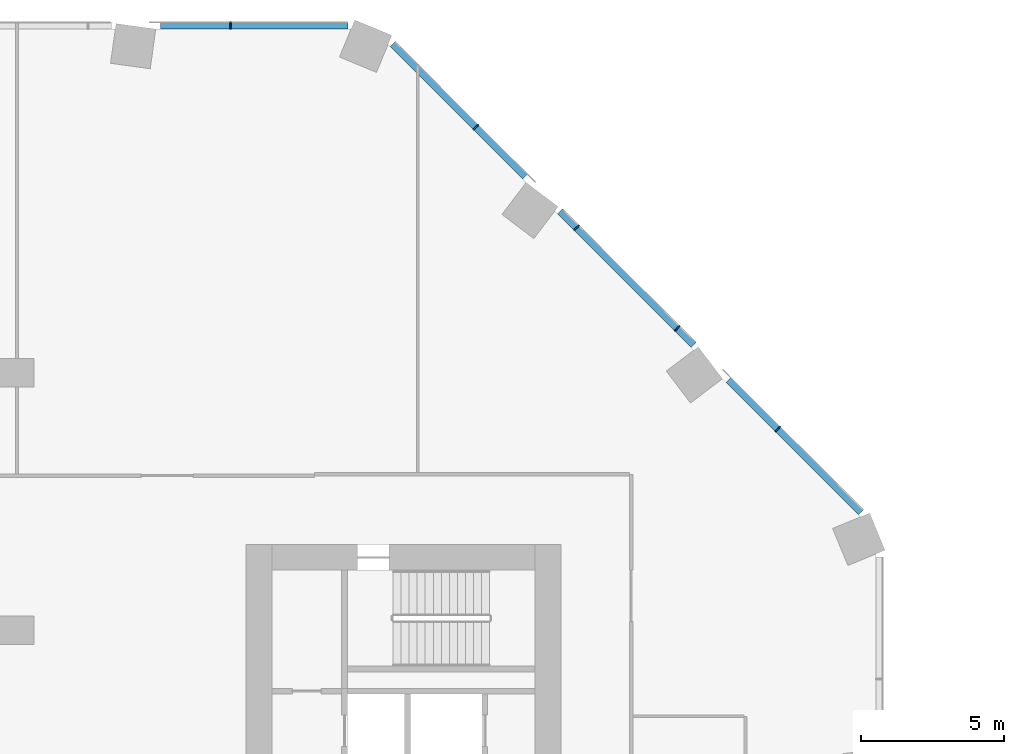
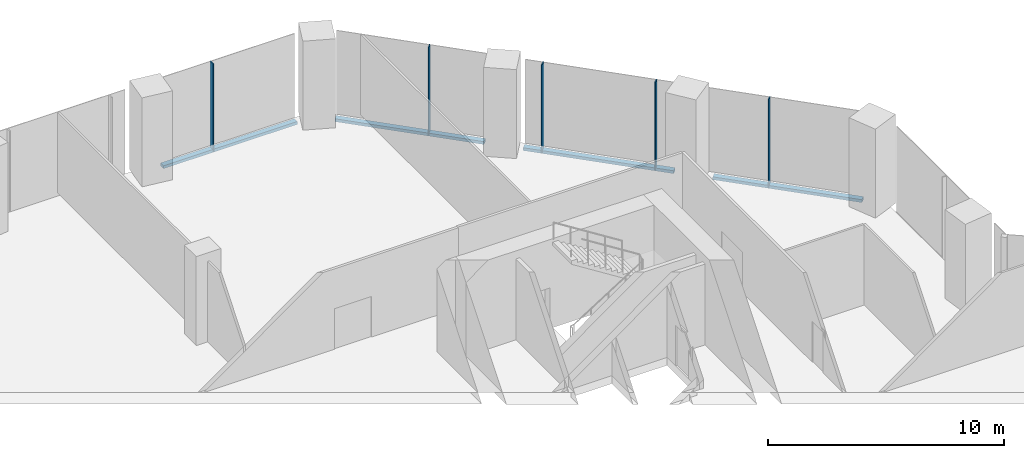
# One storey, part 12 of 30: 9 members, 2 elements without a shape of their own.
"""IFC4 building model written with IfcOpenShell, lengths in metres."""

from ifc_helpers import new_model, si_unit, direction, frame, origin, origin_2d, place, context, subcontext, project, spatial, rectangle, extrude, material, material_profile, profile_set, type_object, element, aggregate, save


model = new_model("IFC4")

# Units and contexts
model_context = context("Model", 3, precision=1e-05, world=origin(), true_north=direction((0.0, 1.0)))
body_context = subcontext(model_context, "Body", "Model", "MODEL_VIEW")
ifc_project = project(units=[si_unit("LENGTHUNIT", "METRE"), si_unit("AREAUNIT", "SQUARE_METRE"), si_unit("VOLUMEUNIT", "CUBIC_METRE"), si_unit("PLANEANGLEUNIT", "RADIAN"), si_unit("MASSUNIT", "GRAM", prefix="KILO")], contexts=[model_context])

# Site, building, storey
site_placement = place(None, origin())
site = spatial("IfcSite", under=ifc_project, at=site_placement, CompositionType="ELEMENT")
building_placement = place(site_placement, origin())
building = spatial("IfcBuilding", under=site, at=building_placement, Name="Orlundy Tower", CompositionType="ELEMENT")
storey_placement = place(building_placement, frame((0.0, 0.0, 20.5)))
storey = spatial("IfcBuildingStorey", under=building, at=storey_placement, Name="L03", CompositionType="ELEMENT", Elevation=20.5)

# Curtain wall, member
ifc_material_1 = material(Name="Aluminium bronze anodised", Category="aluminium")
curtain_wall_type = type_object("IfcCurtainWallType", Name="CW2 wall", PredefinedType="NOTDEFINED", material=ifc_material_1)
curtain_wall_1_placement = place(storey_placement, origin())
curtain_wall_1 = element("IfcCurtainWall", 1, at=curtain_wall_1_placement, inside=storey, type_object=curtain_wall_type, Name="CW2 run 015", PredefinedType="NOTDEFINED")
ifc_material_2 = material(Name="Aluminium bronze anodised", Category="aluminium")
ifc_material_profile_1 = material_profile(ifc_material_2, rectangle(XDim=0.25, YDim=0.050048828125, at=origin_2d()), Name="CW2 mullion 50x250")
ifc_profile_set_1 = profile_set([ifc_material_profile_1], Name="Aluminium bronze anodised")
member_type_1 = type_object("IfcMemberType", Name="CW2 mullion 50x250", PredefinedType="MULLION", material=ifc_profile_set_1)
member_1_placement = place(storey_placement, frame((7.45556640625, 30.125, -0.39990234375), z_axis=(0.0, 0.0, 1.0), x_axis=(0.0, 1.0, 0.0)))
member_1 = element("IfcMember", 2, at=member_1_placement, type_object=member_type_1, Name="CW2 mullion 43", PredefinedType="MULLION", context=body_context, shape_type="SweptSolid", body=[
    extrude(rectangle(XDim=0.25, YDim=0.050048828125, at=origin_2d()), origin(), (0.0, 0.0, 1.0), 4.579833984375),
])

# Curtain wall, members
curtain_wall_2_placement = place(storey_placement, origin())
curtain_wall_2 = element("IfcCurtainWall", 3, at=curtain_wall_2_placement, inside=storey, type_object=curtain_wall_type, Name="CW2 run 016", PredefinedType="NOTDEFINED")
member_2_placement = place(storey_placement, frame((16.029296875, 26.573486328125, -0.39990234375), z_axis=(0.0, 0.0, 1.0), x_axis=(0.707106781187, 0.707106781187, 0.0)))
member_2 = element("IfcMember", 4, at=member_2_placement, type_object=member_type_1, Name="CW2 mullion 45", PredefinedType="MULLION", context=body_context, shape_type="SweptSolid", body=[
    extrude(rectangle(XDim=0.25, YDim=0.050048828125, at=origin_2d()), origin(), (0.0, 0.0, 1.0), 4.579833984375),
])
member_3_placement = place(storey_placement, frame((19.5439453125, 23.058837890625, -0.39990234375), z_axis=(0.0, 0.0, 1.0), x_axis=(0.707106781187, 0.707106781187, 0.0)))
member_3 = element("IfcMember", 5, at=member_3_placement, type_object=member_type_1, Name="CW2 mullion 46", PredefinedType="MULLION", context=body_context, shape_type="SweptSolid", body=[
    extrude(rectangle(XDim=0.25, YDim=0.050048828125, at=origin_2d()), origin(), (0.0, 0.0, 1.0), 4.579833984375),
])
member_4_placement = place(storey_placement, frame((23.058837890625, 19.5439453125, -0.39990234375), z_axis=(0.0, 0.0, 1.0), x_axis=(0.707106781187, 0.707106781187, 0.0)))
member_4 = element("IfcMember", 6, at=member_4_placement, type_object=member_type_1, Name="CW2 mullion 47", PredefinedType="MULLION", context=body_context, shape_type="SweptSolid", body=[
    extrude(rectangle(XDim=0.25, YDim=0.050048828125, at=origin_2d()), origin(), (0.0, 0.0, 1.0), 4.579833984375),
])
member_5_placement = place(storey_placement, frame((26.573486328125, 16.029296875, -0.39990234375), z_axis=(0.0, 0.0, 1.0), x_axis=(0.707106781187, 0.707106781187, 0.0)))
member_5 = element("IfcMember", 7, at=member_5_placement, type_object=member_type_1, Name="CW2 mullion 48", PredefinedType="MULLION", context=body_context, shape_type="SweptSolid", body=[
    extrude(rectangle(XDim=0.25, YDim=0.050048828125, at=origin_2d()), origin(), (0.0, 0.0, 1.0), 4.579833984375),
])

# Member
ifc_material_3 = material(Name="Aluminium bronze anodised", Category="aluminium")
ifc_material_profile_2 = material_profile(ifc_material_3, rectangle(XDim=0.25, YDim=0.14990234375, at=origin_2d()), Name="CW2 transom 250x150")
ifc_profile_set_2 = profile_set([ifc_material_profile_2], Name="Aluminium bronze anodised")
member_type_2 = type_object("IfcMemberType", Name="CW2 transom 250x150", PredefinedType="USERDEFINED", material=ifc_profile_set_2)
member_6_placement = place(storey_placement, frame((5.01708984375, 30.125, -0.324951171875), z_axis=(1.0, 0.0, 0.0), x_axis=(0.0, 1.0, 0.0)))
member_6 = element("IfcMember", 8, at=member_6_placement, type_object=member_type_2, Name="CW2 transom", ObjectType="TRANSOM", PredefinedType="USERDEFINED", context=body_context, shape_type="SweptSolid", body=[
    extrude(rectangle(XDim=0.25, YDim=0.14990234375, at=origin_2d()), origin(), (0.0, 0.0, 1.0), 6.541259765625),
])

aggregate(curtain_wall_1, [member_1, member_6])

member_7_placement = place(storey_placement, frame((13.128662109375, 29.47412109375, -0.324951171875), z_axis=(0.707106781187, -0.707106781187, 0.0), x_axis=(0.707106781187, 0.707106781187, 0.0)))
member_7 = element("IfcMember", 9, at=member_7_placement, type_object=member_type_2, Name="CW2 transom", ObjectType="TRANSOM", PredefinedType="USERDEFINED", context=body_context, shape_type="SweptSolid", body=[
    extrude(rectangle(XDim=0.25, YDim=0.14990234375, at=origin_2d()), origin(), (0.0, 0.0, 1.0), 6.541015625),
])

member_8_placement = place(storey_placement, frame((18.96728515625, 23.635498046875, -0.324951171875), z_axis=(0.707106781187, -0.707106781187, 0.0), x_axis=(0.707106781187, 0.707106781187, 0.0)))
member_8 = element("IfcMember", 10, at=member_8_placement, type_object=member_type_2, Name="CW2 transom", ObjectType="TRANSOM", PredefinedType="USERDEFINED", context=body_context, shape_type="SweptSolid", body=[
    extrude(rectangle(XDim=0.25, YDim=0.14990234375, at=origin_2d()), origin(), (0.0, 0.0, 1.0), 6.601806640625),
])

member_9_placement = place(storey_placement, frame((24.848876953125, 17.75390625, -0.324951171875), z_axis=(0.707106781187, -0.707106781187, 0.0), x_axis=(0.707106781187, 0.707106781187, 0.0)))
member_9 = element("IfcMember", 11, at=member_9_placement, type_object=member_type_2, Name="CW2 transom", ObjectType="TRANSOM", PredefinedType="USERDEFINED", context=body_context, shape_type="SweptSolid", body=[
    extrude(rectangle(XDim=0.25, YDim=0.14990234375, at=origin_2d()), origin(), (0.0, 0.0, 1.0), 6.541015625),
])

aggregate(curtain_wall_2, [member_2, member_3, member_4, member_5, member_7, member_8, member_9])

save(model, "model.ifc")
